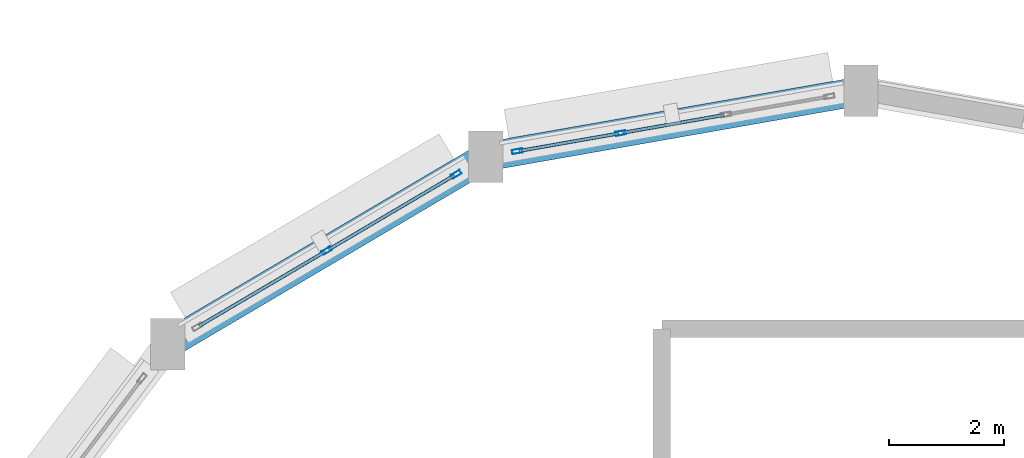
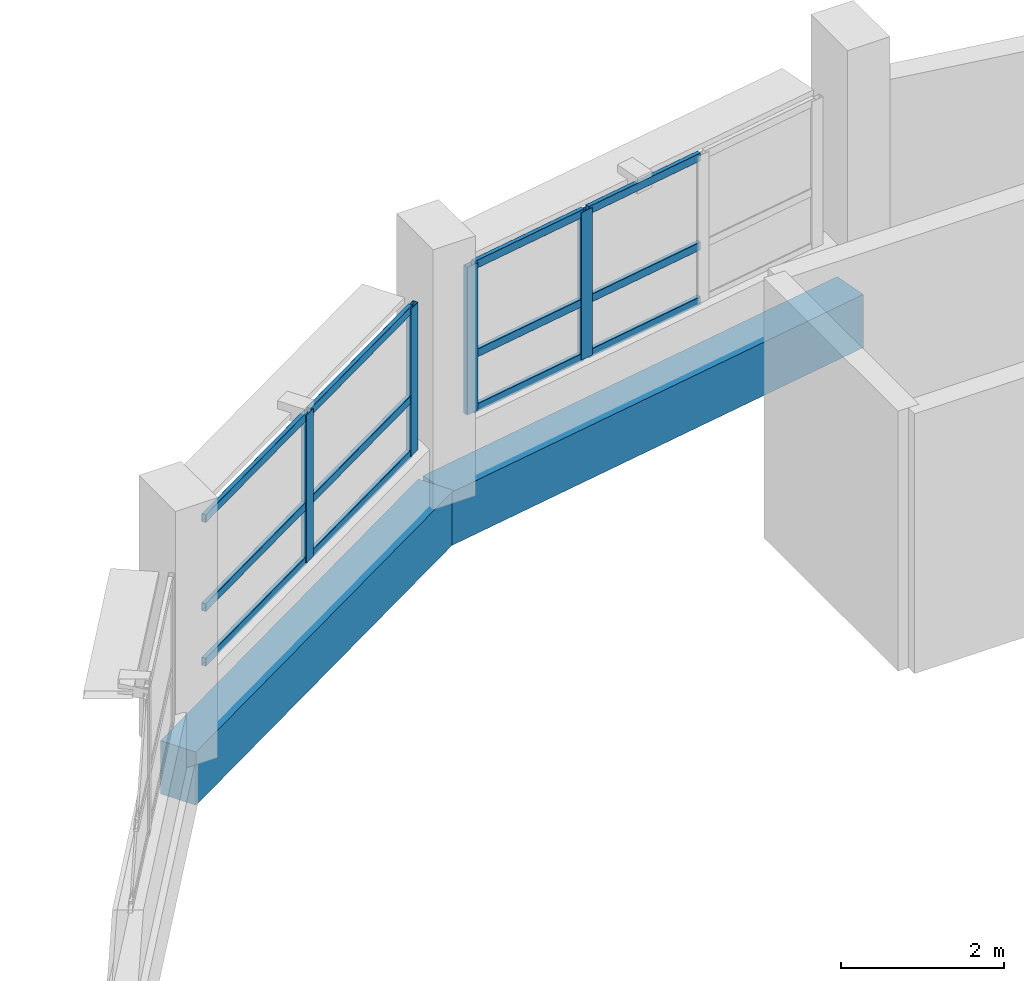
# One storey, part 85 of 121: 16 members, 2 beams, 2 elements without a shape of their own.
"""IFC4 building model written with IfcOpenShell, lengths in metres."""

from ifc_helpers import new_model, si_unit, direction, frame, origin, origin_2d, place, context, subcontext, project, spatial, rectangle, hollow_rectangle, extrude, material, layer, layer_set, material_profile, profile_set, type_object, element, aggregate, save


model = new_model("IFC4")

# Units and contexts
model_context = context("Model", 3, precision=1e-05, world=origin(), true_north=direction((0.0, 1.0)))
body_context = subcontext(model_context, "Body", "Model", "MODEL_VIEW")
ifc_project = project(units=[si_unit("LENGTHUNIT", "METRE"), si_unit("AREAUNIT", "SQUARE_METRE"), si_unit("VOLUMEUNIT", "CUBIC_METRE"), si_unit("PLANEANGLEUNIT", "RADIAN"), si_unit("MASSUNIT", "GRAM", prefix="KILO")], contexts=[model_context])

# Site, building, storey
site_placement = place(None, origin())
site = spatial("IfcSite", under=ifc_project, at=site_placement, CompositionType="ELEMENT")
building_placement = place(site_placement, origin())
building = spatial("IfcBuilding", under=site, at=building_placement, Name="Vespera Passage Community Centre", CompositionType="ELEMENT")
storey_placement = place(building_placement, frame((0.0, 0.0, 8.699951171875)))
storey = spatial("IfcBuildingStorey", under=building, at=storey_placement, Name="L02", CompositionType="ELEMENT", Elevation=8.699951171875)

# Beams
ifc_material_1 = material(Name="Concrete f'c 35 MPa", Category="concrete")
ifc_material_profile_1 = material_profile(ifc_material_1, rectangle(XDim=0.5, YDim=0.800048828125, at=origin_2d()), Name="RC500X800")
ifc_profile_set_1 = profile_set([ifc_material_profile_1], Name="Concrete f'c 35 MPa")
beam_type = type_object("IfcBeamType", Name="BM-SP-500X800E", PredefinedType="SPANDREL", material=ifc_profile_set_1)
beam_1_placement = place(storey_placement, frame((143.0, 104.60009765625, -0.39990234375), z_axis=(-0.984922333185, -0.172997102844, 0.0), x_axis=(0.172997102844, -0.984922333185, 0.0)))
element("IfcBeam", 1, at=beam_1_placement, inside=storey, type_object=beam_type, Name="V2 L02 Perimeter Spandrel 5", PredefinedType="SPANDREL", context=body_context, shape_type="SweptSolid", body=[
    extrude(rectangle(XDim=0.5, YDim=0.800048828125, at=origin_2d()), origin(), (0.0, 0.0, 1.0), 6.64404296875),
])
beam_2_placement = place(storey_placement, frame((136.4560546875, 103.45068359375, -0.39990234375), z_axis=(-0.861245535965, -0.508189065978, 0.0), x_axis=(0.508189065978, -0.861245535965, 0.0)))
element("IfcBeam", 2, at=beam_2_placement, inside=storey, type_object=beam_type, Name="V2 L02 Perimeter Spandrel 6", PredefinedType="SPANDREL", context=body_context, shape_type="SweptSolid", body=[
    extrude(rectangle(XDim=0.5, YDim=0.800048828125, at=origin_2d()), origin(), (0.0, 0.0, 1.0), 6.44140625),
])

# Curtain wall, members
ifc_material_2 = material(Name="Anodized aluminium 6063-T6", Category="aluminium")
ifc_layer_1 = layer(ifc_material_2, 0.159912109375)
ifc_layer_set_1 = layer_set([ifc_layer_1], Name="Anodized aluminium 6063-T6")
curtain_wall_type_1 = type_object("IfcCurtainWallType", Name="CW-100E", PredefinedType="NOTDEFINED", material=ifc_layer_set_1)
curtain_wall_1_placement = place(storey_placement, origin())
curtain_wall_1 = element("IfcCurtainWall", 3, at=curtain_wall_1_placement, inside=storey, type_object=curtain_wall_type_1, Name="Sports Drum Ribbon Curtain Wall L02.5", PredefinedType="NOTDEFINED")
ifc_material_3 = material(Name="Anodized aluminium 6063-T6", Category="aluminium")
ifc_material_profile_2 = material_profile(ifc_material_3, hollow_rectangle(XDim=0.074951171875, YDim=0.179931640625, WallThickness=0.0048828125, InnerFilletRadius=0.00244140625, OuterFilletRadius=0.0048828125, at=origin_2d()), Name="ALU180X75X5")
ifc_profile_set_2 = profile_set([ifc_material_profile_2], Name="Anodized aluminium 6063-T6")
member_type_1 = type_object("IfcMemberType", Name="MB-CWM-180E", PredefinedType="MULLION", material=ifc_profile_set_2)
member_1_placement = place(storey_placement, frame((137.0048828125, 103.546875, 0.85009765625), z_axis=(0.0, 0.0, 1.0), x_axis=(-0.172994429562, 0.984922802731, 0.0)))
member_1 = element("IfcMember", 4, at=member_1_placement, type_object=member_type_1, Name="CW-100E mullion 1", PredefinedType="MULLION", context=body_context, shape_type="SweptSolid", body=[
    extrude(hollow_rectangle(XDim=0.074951171875, YDim=0.179931640625, WallThickness=0.0048828125, InnerFilletRadius=0.00244140625, OuterFilletRadius=0.0048828125, at=origin_2d()), origin(), (0.0, 0.0, 1.0), 2.21484375),
])
member_2_placement = place(storey_placement, frame((138.80810546875, 103.86376953125, 0.85009765625), z_axis=(0.0, 0.0, 1.0), x_axis=(-0.172994429562, 0.984922802731, 0.0)))
member_2 = element("IfcMember", 5, at=member_2_placement, type_object=member_type_1, Name="CW-100E mullion 2", PredefinedType="MULLION", context=body_context, shape_type="SweptSolid", body=[
    extrude(hollow_rectangle(XDim=0.074951171875, YDim=0.179931640625, WallThickness=0.0048828125, InnerFilletRadius=0.00244140625, OuterFilletRadius=0.0048828125, at=origin_2d()), origin(), (0.0, 0.0, 1.0), 2.21484375),
])

ifc_material_4 = material(Name="Anodized aluminium 6063-T6", Category="aluminium")
ifc_layer_2 = layer(ifc_material_4, 0.159912109375)
ifc_layer_set_2 = layer_set([ifc_layer_2], Name="Anodized aluminium 6063-T6")
curtain_wall_type_2 = type_object("IfcCurtainWallType", Name="CW-99E", PredefinedType="NOTDEFINED", material=ifc_layer_set_2)
curtain_wall_2_placement = place(storey_placement, origin())
curtain_wall_2 = element("IfcCurtainWall", 6, at=curtain_wall_2_placement, inside=storey, type_object=curtain_wall_type_2, Name="Sports Drum Ribbon Curtain Wall L02.6", PredefinedType="NOTDEFINED")
member_3_placement = place(storey_placement, frame((133.682373046875, 101.81396484375, 0.85009765625), z_axis=(0.0, 0.0, 1.0), x_axis=(-0.50817007737, 0.861256740157, 0.0)))
member_3 = element("IfcMember", 7, at=member_3_placement, type_object=member_type_1, Name="CW-99E mullion 2", PredefinedType="MULLION", context=body_context, shape_type="SweptSolid", body=[
    extrude(hollow_rectangle(XDim=0.074951171875, YDim=0.179931640625, WallThickness=0.0048828125, InnerFilletRadius=0.00244140625, OuterFilletRadius=0.0048828125, at=origin_2d()), origin(), (0.0, 0.0, 1.0), 2.21484375),
])
member_4_placement = place(storey_placement, frame((135.938720703125, 103.145263671875, 0.85009765625), z_axis=(0.0, 0.0, 1.0), x_axis=(-0.50817007737, 0.861256740157, 0.0)))
member_4 = element("IfcMember", 8, at=member_4_placement, type_object=member_type_1, Name="CW-99E mullion 3", PredefinedType="MULLION", context=body_context, shape_type="SweptSolid", body=[
    extrude(hollow_rectangle(XDim=0.074951171875, YDim=0.179931640625, WallThickness=0.0048828125, InnerFilletRadius=0.00244140625, OuterFilletRadius=0.0048828125, at=origin_2d()), origin(), (0.0, 0.0, 1.0), 2.21484375),
])

# Member
ifc_material_5 = material(Name="Anodized aluminium 6063-T6", Category="aluminium")
ifc_material_profile_3 = material_profile(ifc_material_5, hollow_rectangle(XDim=0.06005859375, YDim=0.1201171875, WallThickness=0.00390625, InnerFilletRadius=0.001953125, OuterFilletRadius=0.00390625, at=origin_2d()), Name="ALU120X60X4")
ifc_profile_set_3 = profile_set([ifc_material_profile_3], Name="Anodized aluminium 6063-T6")
member_type_2 = type_object("IfcMemberType", Name="MB-CWT-120E", PredefinedType="USERDEFINED", material=ifc_profile_set_3)
member_5_placement = place(storey_placement, frame((137.041748046875, 103.553466796875, 0.880126953125), z_axis=(0.984924620758, 0.172984078529, 0.0), x_axis=(-0.172984078529, 0.984924620758, 0.0)))
member_5 = element("IfcMember", 9, at=member_5_placement, type_object=member_type_2, Name="CW-100E transom 1.1", ObjectType="TRANSOM", PredefinedType="USERDEFINED", context=body_context, shape_type="SweptSolid", body=[
    extrude(hollow_rectangle(XDim=0.06005859375, YDim=0.1201171875, WallThickness=0.00390625, InnerFilletRadius=0.001953125, OuterFilletRadius=0.00390625, at=origin_2d()), origin(), (0.0, 0.0, 1.0), 1.755615234375),
])

member_6_placement = place(storey_placement, frame((137.041748046875, 103.553466796875, 1.699951171875), z_axis=(0.984924620758, 0.172984078529, 0.0), x_axis=(-0.172984078529, 0.984924620758, 0.0)))
member_6 = element("IfcMember", 10, at=member_6_placement, type_object=member_type_2, Name="CW-100E transom 1.2", ObjectType="TRANSOM", PredefinedType="USERDEFINED", context=body_context, shape_type="SweptSolid", body=[
    extrude(hollow_rectangle(XDim=0.06005859375, YDim=0.1201171875, WallThickness=0.00390625, InnerFilletRadius=0.001953125, OuterFilletRadius=0.00390625, at=origin_2d()), origin(), (0.0, 0.0, 1.0), 1.755615234375),
])

member_7_placement = place(storey_placement, frame((137.041748046875, 103.553466796875, 3.03515625), z_axis=(0.984924620758, 0.172984078529, 0.0), x_axis=(-0.172984078529, 0.984924620758, 0.0)))
member_7 = element("IfcMember", 11, at=member_7_placement, type_object=member_type_2, Name="CW-100E transom 1.3", ObjectType="TRANSOM", PredefinedType="USERDEFINED", context=body_context, shape_type="SweptSolid", body=[
    extrude(hollow_rectangle(XDim=0.06005859375, YDim=0.1201171875, WallThickness=0.00390625, InnerFilletRadius=0.001953125, OuterFilletRadius=0.00390625, at=origin_2d()), origin(), (0.0, 0.0, 1.0), 1.755615234375),
])

member_8_placement = place(storey_placement, frame((138.844970703125, 103.8701171875, 0.880126953125), z_axis=(0.984913493542, 0.173047421937, 0.0), x_axis=(-0.173047421937, 0.984913493542, 0.0)))
member_8 = element("IfcMember", 12, at=member_8_placement, type_object=member_type_2, Name="CW-100E transom 2.1", ObjectType="TRANSOM", PredefinedType="USERDEFINED", context=body_context, shape_type="SweptSolid", body=[
    extrude(hollow_rectangle(XDim=0.06005859375, YDim=0.1201171875, WallThickness=0.00390625, InnerFilletRadius=0.001953125, OuterFilletRadius=0.00390625, at=origin_2d()), origin(), (0.0, 0.0, 1.0), 1.793212890625),
])

member_9_placement = place(storey_placement, frame((138.844970703125, 103.8701171875, 1.699951171875), z_axis=(0.984913493542, 0.173047421937, 0.0), x_axis=(-0.173047421937, 0.984913493542, 0.0)))
member_9 = element("IfcMember", 13, at=member_9_placement, type_object=member_type_2, Name="CW-100E transom 2.2", ObjectType="TRANSOM", PredefinedType="USERDEFINED", context=body_context, shape_type="SweptSolid", body=[
    extrude(hollow_rectangle(XDim=0.06005859375, YDim=0.1201171875, WallThickness=0.00390625, InnerFilletRadius=0.001953125, OuterFilletRadius=0.00390625, at=origin_2d()), origin(), (0.0, 0.0, 1.0), 1.793212890625),
])

member_10_placement = place(storey_placement, frame((138.844970703125, 103.8701171875, 3.03515625), z_axis=(0.984913493542, 0.173047421937, 0.0), x_axis=(-0.173047421937, 0.984913493542, 0.0)))
member_10 = element("IfcMember", 14, at=member_10_placement, type_object=member_type_2, Name="CW-100E transom 2.3", ObjectType="TRANSOM", PredefinedType="USERDEFINED", context=body_context, shape_type="SweptSolid", body=[
    extrude(hollow_rectangle(XDim=0.06005859375, YDim=0.1201171875, WallThickness=0.00390625, InnerFilletRadius=0.001953125, OuterFilletRadius=0.00390625, at=origin_2d()), origin(), (0.0, 0.0, 1.0), 1.793212890625),
])

aggregate(curtain_wall_1, [member_1, member_2, member_5, member_6, member_7, member_8, member_9, member_10])

member_11_placement = place(storey_placement, frame((131.458251953125, 100.501708984375, 0.880126953125), z_axis=(0.861245323455, 0.508189426127, 0.0), x_axis=(-0.508189426127, 0.861245323455, 0.0)))
member_11 = element("IfcMember", 15, at=member_11_placement, type_object=member_type_2, Name="CW-99E transom 1.1", ObjectType="TRANSOM", PredefinedType="USERDEFINED", context=body_context, shape_type="SweptSolid", body=[
    extrude(hollow_rectangle(XDim=0.06005859375, YDim=0.1201171875, WallThickness=0.00390625, InnerFilletRadius=0.001953125, OuterFilletRadius=0.00390625, at=origin_2d()), origin(), (0.0, 0.0, 1.0), 2.544677734375),
])

member_12_placement = place(storey_placement, frame((131.458251953125, 100.501708984375, 1.699951171875), z_axis=(0.861245323455, 0.508189426127, 0.0), x_axis=(-0.508189426127, 0.861245323455, 0.0)))
member_12 = element("IfcMember", 16, at=member_12_placement, type_object=member_type_2, Name="CW-99E transom 1.2", ObjectType="TRANSOM", PredefinedType="USERDEFINED", context=body_context, shape_type="SweptSolid", body=[
    extrude(hollow_rectangle(XDim=0.06005859375, YDim=0.1201171875, WallThickness=0.00390625, InnerFilletRadius=0.001953125, OuterFilletRadius=0.00390625, at=origin_2d()), origin(), (0.0, 0.0, 1.0), 2.544677734375),
])

member_13_placement = place(storey_placement, frame((131.458251953125, 100.501708984375, 3.03515625), z_axis=(0.861245323455, 0.508189426127, 0.0), x_axis=(-0.508189426127, 0.861245323455, 0.0)))
member_13 = element("IfcMember", 17, at=member_13_placement, type_object=member_type_2, Name="CW-99E transom 1.3", ObjectType="TRANSOM", PredefinedType="USERDEFINED", context=body_context, shape_type="SweptSolid", body=[
    extrude(hollow_rectangle(XDim=0.06005859375, YDim=0.1201171875, WallThickness=0.00390625, InnerFilletRadius=0.001953125, OuterFilletRadius=0.00390625, at=origin_2d()), origin(), (0.0, 0.0, 1.0), 2.544677734375),
])

member_14_placement = place(storey_placement, frame((133.714599609375, 101.8330078125, 0.880126953125), z_axis=(0.861245323455, 0.508189426127, 0.0), x_axis=(-0.508189426127, 0.861245323455, 0.0)))
member_14 = element("IfcMember", 18, at=member_14_placement, type_object=member_type_2, Name="CW-99E transom 2.1", ObjectType="TRANSOM", PredefinedType="USERDEFINED", context=body_context, shape_type="SweptSolid", body=[
    extrude(hollow_rectangle(XDim=0.06005859375, YDim=0.1201171875, WallThickness=0.00390625, InnerFilletRadius=0.001953125, OuterFilletRadius=0.00390625, at=origin_2d()), origin(), (0.0, 0.0, 1.0), 2.544677734375),
])

member_15_placement = place(storey_placement, frame((133.714599609375, 101.8330078125, 1.699951171875), z_axis=(0.861245323455, 0.508189426127, 0.0), x_axis=(-0.508189426127, 0.861245323455, 0.0)))
member_15 = element("IfcMember", 19, at=member_15_placement, type_object=member_type_2, Name="CW-99E transom 2.2", ObjectType="TRANSOM", PredefinedType="USERDEFINED", context=body_context, shape_type="SweptSolid", body=[
    extrude(hollow_rectangle(XDim=0.06005859375, YDim=0.1201171875, WallThickness=0.00390625, InnerFilletRadius=0.001953125, OuterFilletRadius=0.00390625, at=origin_2d()), origin(), (0.0, 0.0, 1.0), 2.544677734375),
])

member_16_placement = place(storey_placement, frame((133.714599609375, 101.8330078125, 3.03515625), z_axis=(0.861245323455, 0.508189426127, 0.0), x_axis=(-0.508189426127, 0.861245323455, 0.0)))
member_16 = element("IfcMember", 20, at=member_16_placement, type_object=member_type_2, Name="CW-99E transom 2.3", ObjectType="TRANSOM", PredefinedType="USERDEFINED", context=body_context, shape_type="SweptSolid", body=[
    extrude(hollow_rectangle(XDim=0.06005859375, YDim=0.1201171875, WallThickness=0.00390625, InnerFilletRadius=0.001953125, OuterFilletRadius=0.00390625, at=origin_2d()), origin(), (0.0, 0.0, 1.0), 2.544677734375),
])

aggregate(curtain_wall_2, [member_3, member_4, member_11, member_12, member_13, member_14, member_15, member_16])

save(model, "model.ifc")
